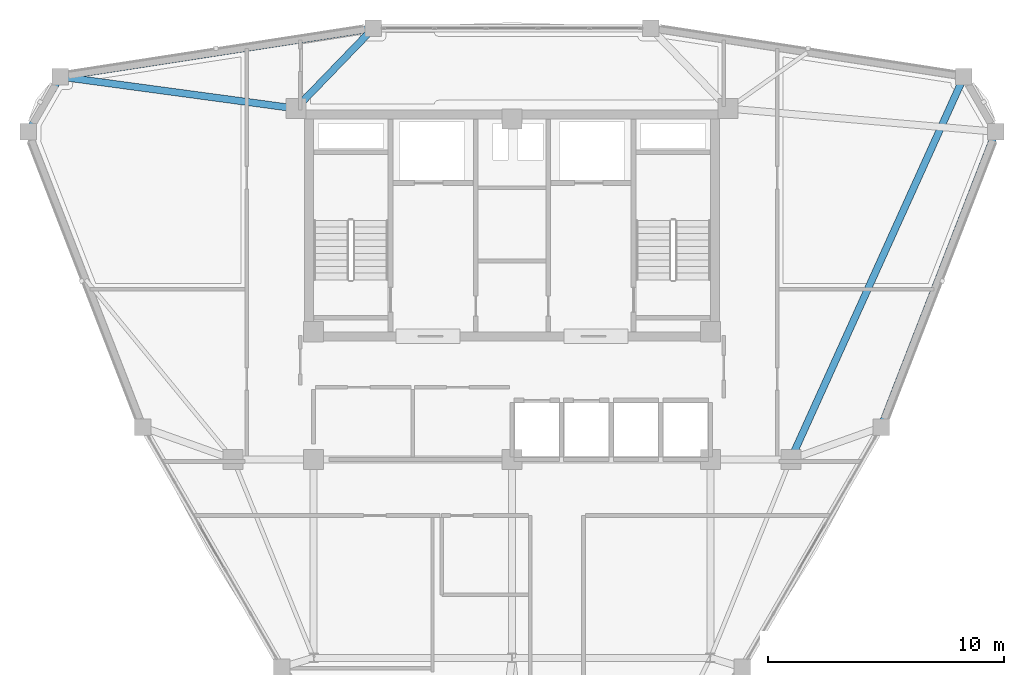
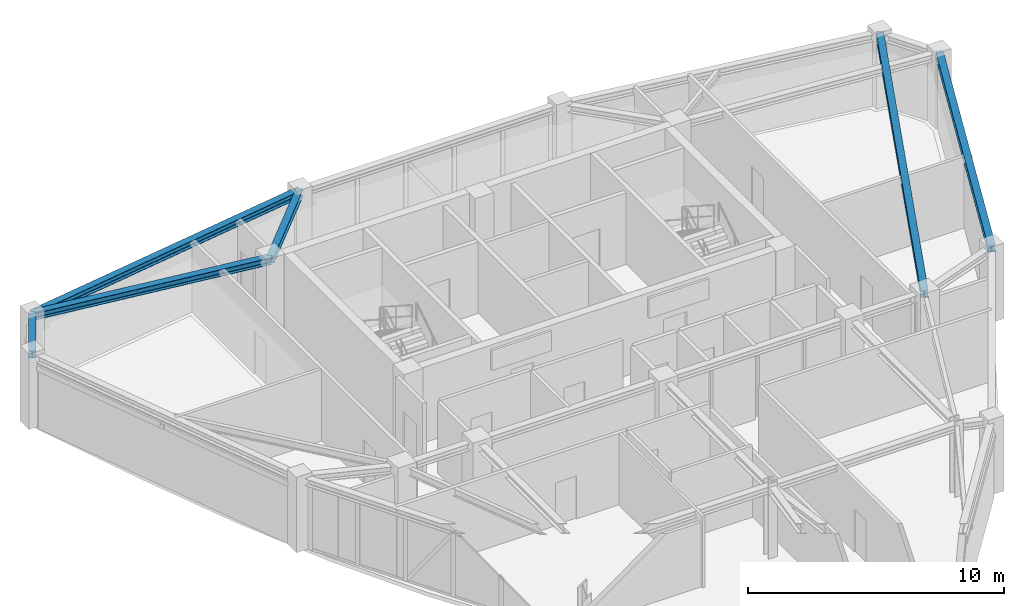
# One storey, part 8 of 15: 6 beams.
"""IFC4 building model written with IfcOpenShell, lengths in metres."""

from ifc_helpers import new_model, si_unit, derived_unit, direction, frame, origin, origin_2d, place, context, subcontext, project, spatial, i_section, extrude, source, transform, mapped, material, material_profile, profile_set, type_object, element, save


model = new_model("IFC4")

# Units and contexts
model_context = context("Model", 3, precision=1e-05, world=origin(), true_north=direction((0.0, 1.0)))
body_context = subcontext(model_context, "Body", "Model", "MODEL_VIEW")
ifc_project = project(units=[si_unit("LENGTHUNIT", "METRE"), si_unit("AREAUNIT", "SQUARE_METRE"), si_unit("VOLUMEUNIT", "CUBIC_METRE"), si_unit("PLANEANGLEUNIT", "RADIAN"), si_unit("MASSUNIT", "GRAM", prefix="KILO"), derived_unit("THERMALTRANSMITTANCEUNIT", [(si_unit("POWERUNIT", "WATT"), 1), (si_unit("LENGTHUNIT", "METRE"), -2), (si_unit("THERMODYNAMICTEMPERATUREUNIT", "KELVIN"), -1)])], contexts=[model_context])

# Site, building, storey
site_placement = place(None, origin())
site = spatial("IfcSite", under=ifc_project, at=site_placement, CompositionType="ELEMENT")
building_placement = place(site_placement, origin())
building = spatial("IfcBuilding", under=site, at=building_placement, Name="Korsvarv Bourse and Concert Hall", CompositionType="ELEMENT")
storey_placement = place(building_placement, frame((0.0, 0.0, 268.199951171875)))
storey = spatial("IfcBuildingStorey", under=building, at=storey_placement, Name="L70", CompositionType="ELEMENT", Elevation=268.199951171875)

# Beams
ifc_material = material(Name="Steel S355", Category="steel")
ifc_material_profile = material_profile(ifc_material, i_section(OverallWidth=0.300048828125, OverallDepth=0.330078125, WebThickness=0.009521484375, FlangeThickness=0.0166015625, FilletRadius=0.02099609375, at=origin_2d()), Name="HEA 340")
ifc_profile_set = profile_set([ifc_material_profile], Name="Steel S355")
beam_type = type_object("IfcBeamType", Name="BM-HEA340", PredefinedType="BEAM", material=ifc_profile_set)
shared_shape_1 = source(origin(), body_context, "Body", "SweptSolid", [
    extrude(i_section(OverallWidth=0.300048828125, OverallDepth=0.330078125, WebThickness=0.009521484375, FlangeThickness=0.0166015625, FilletRadius=0.02099609375, at=origin_2d()), origin(), (0.0, 0.0, 1.0), 2.6923828125),
])
beam_1_placement = place(storey_placement, frame((16.8720703125, 48.597900390625, 3.2451171875), z_axis=(-0.500020738559, -0.86601343004, 0.0), x_axis=(0.86601343004, -0.500020738559, 0.0)))
element("IfcBeam", 1, at=beam_1_placement, inside=storey, type_object=beam_type, Name="L70 beam B-12", PredefinedType="BEAM", context=body_context, shape_type="MappedRepresentation", body=[
    mapped(shared_shape_1, transform((0.0, 0.0, 0.0), scale=1.0)),
])
shared_shape_2 = source(origin(), body_context, "Body", "SweptSolid", [
    extrude(i_section(OverallWidth=0.300048828125, OverallDepth=0.330078125, WebThickness=0.009521484375, FlangeThickness=0.0166015625, FilletRadius=0.02099609375, at=origin_2d()), origin(), (0.0, 0.0, 1.0), 13.416015625),
])
beam_2_placement = place(storey_placement, frame((30.130615234375, 50.646728515625, 3.2451171875), z_axis=(-0.988270074885, -0.152716269881, 0.0), x_axis=(0.152716269881, -0.988270074885, 0.0)))
element("IfcBeam", 2, at=beam_2_placement, inside=storey, type_object=beam_type, Name="L70 beam B-12", PredefinedType="BEAM", context=body_context, shape_type="MappedRepresentation", body=[
    mapped(shared_shape_2, transform((0.0, 0.0, 0.0), scale=1.0)),
])
shared_shape_3 = source(origin(), body_context, "Body", "SweptSolid", [
    extrude(i_section(OverallWidth=0.300048828125, OverallDepth=0.330078125, WebThickness=0.009521484375, FlangeThickness=0.0166015625, FilletRadius=0.02099609375, at=origin_2d()), origin(), (0.0, 0.0, 1.0), 13.415771484375),
])
beam_3_placement = place(storey_placement, frame((51.619140625, 33.759765625, 3.2451171875), z_axis=(0.361883280092, 0.932223412917, 0.0), x_axis=(-0.932223412917, 0.361883280092, 0.0)))
element("IfcBeam", 3, at=beam_3_placement, inside=storey, type_object=beam_type, Name="L70 beam B-12", PredefinedType="BEAM", context=body_context, shape_type="MappedRepresentation", body=[
    mapped(shared_shape_3, transform((0.0, 0.0, 0.0), scale=1.0)),
])
shared_shape_4 = source(origin(), body_context, "Body", "SweptSolid", [
    extrude(i_section(OverallWidth=0.300048828125, OverallDepth=0.330078125, WebThickness=0.009521484375, FlangeThickness=0.0166015625, FilletRadius=0.02099609375, at=origin_2d()), origin(), (0.0, 0.0, 1.0), 17.7783203125),
])
beam_4_placement = place(storey_placement, frame((55.1279296875, 48.597900390625, 3.2451171875), z_axis=(-0.412177912252, -0.911103379783, 0.0), x_axis=(0.911103379783, -0.412177912252, 0.0)))
element("IfcBeam", 4, at=beam_4_placement, inside=storey, type_object=beam_type, Name="L70 beam B-12", PredefinedType="BEAM", context=body_context, shape_type="MappedRepresentation", body=[
    mapped(shared_shape_4, transform((0.0, 0.0, 0.0), scale=1.0)),
])
shared_shape_5 = source(origin(), body_context, "Body", "SweptSolid", [
    extrude(i_section(OverallWidth=0.300048828125, OverallDepth=0.330078125, WebThickness=0.009521484375, FlangeThickness=0.0166015625, FilletRadius=0.02099609375, at=origin_2d()), origin(), (0.0, 0.0, 1.0), 4.72216796875),
])
beam_5_placement = place(storey_placement, frame((30.130615234375, 50.646728515625, 3.2451171875), z_axis=(-0.694695075658, -0.71930435273, 0.0), x_axis=(0.71930435273, -0.694695075658, 0.0)))
element("IfcBeam", 5, at=beam_5_placement, inside=storey, type_object=beam_type, Name="L70 beam B-12", PredefinedType="BEAM", context=body_context, shape_type="MappedRepresentation", body=[
    mapped(shared_shape_5, transform((0.0, 0.0, 0.0), scale=1.0)),
])
shared_shape_6 = source(origin(), body_context, "Body", "SweptSolid", [
    extrude(i_section(OverallWidth=0.300048828125, OverallDepth=0.330078125, WebThickness=0.009521484375, FlangeThickness=0.0166015625, FilletRadius=0.02099609375, at=origin_2d()), origin(), (0.0, 0.0, 1.0), 10.068603515625),
])
beam_6_placement = place(storey_placement, frame((16.8720703125, 48.597900390625, 3.2451171875), z_axis=(0.990998778198, -0.133870913982, 0.0), x_axis=(0.133870913982, 0.990998778198, 0.0)))
element("IfcBeam", 6, at=beam_6_placement, inside=storey, type_object=beam_type, Name="L70 beam B-12", PredefinedType="BEAM", context=body_context, shape_type="MappedRepresentation", body=[
    mapped(shared_shape_6, transform((0.0, 0.0, 0.0), scale=1.0)),
])

save(model, "model.ifc")
